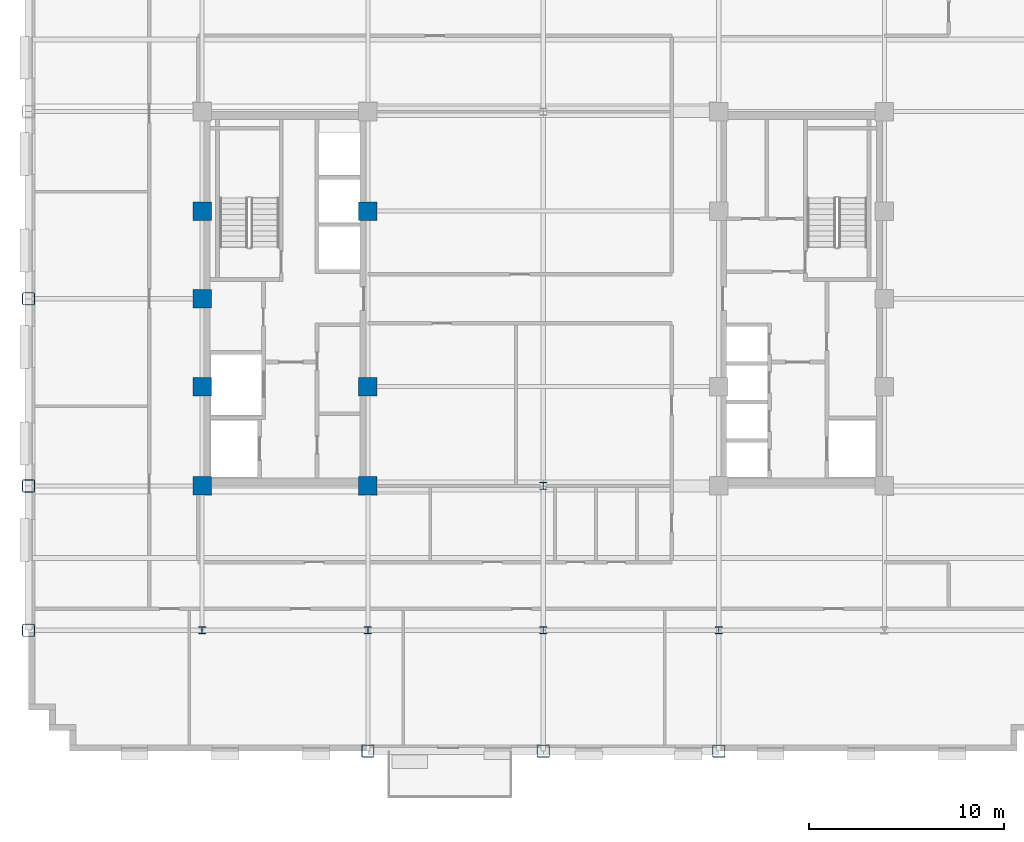
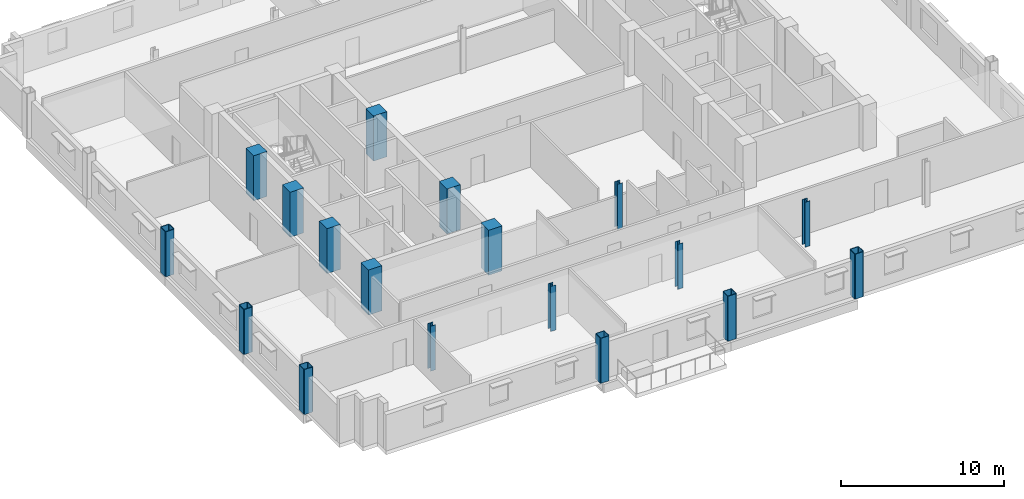
# One storey, part 1 of 13: 18 columns.
"""IFC4 building model written with IfcOpenShell, lengths in metres."""

from ifc_helpers import new_model, si_unit, direction, frame, origin, origin_2d, place, context, subcontext, project, spatial, rectangle, hollow_rectangle, i_section, extrude, material, material_profile, profile_set, type_object, element, save


model = new_model("IFC4")

# Units and contexts
model_context = context("Model", 3, precision=1e-05, world=origin(), true_north=direction((0.0, 1.0)))
body_context = subcontext(model_context, "Body", "Model", "MODEL_VIEW")
ifc_project = project(units=[si_unit("LENGTHUNIT", "METRE"), si_unit("AREAUNIT", "SQUARE_METRE"), si_unit("VOLUMEUNIT", "CUBIC_METRE"), si_unit("PLANEANGLEUNIT", "RADIAN"), si_unit("MASSUNIT", "GRAM", prefix="KILO")], contexts=[model_context])

# Site, building, storey
site_placement = place(None, origin())
site = spatial("IfcSite", under=ifc_project, at=site_placement, CompositionType="ELEMENT")
building_placement = place(site_placement, origin())
building = spatial("IfcBuilding", under=site, at=building_placement, Name="Nuvemarco Arch Tower", CompositionType="ELEMENT")
storey_placement = place(building_placement, frame((0.0, 0.0, 156.699951171875)))
storey = spatial("IfcBuildingStorey", under=building, at=storey_placement, Name="L41", CompositionType="ELEMENT", Elevation=156.699951171875)

# Columns
ifc_material_1 = material(Name="Concrete C50/60", Category="concrete")
ifc_material_profile_1 = material_profile(ifc_material_1, rectangle(XDim=0.949951171875, YDim=0.949951171875, at=origin_2d()), Name="RC-COL-950x950")
ifc_profile_set_1 = profile_set([ifc_material_profile_1], Name="Concrete C50/60")
column_type_1 = type_object("IfcColumnType", Name="COL-CORE-950", PredefinedType="COLUMN", material=ifc_profile_set_1)
for number, where, z_axis, x_axis, name in (
    (1, (-17.5, -9.60009765625, 0.0), (0.0, 0.0, 1.0), (1.0, 0.0, 0.0), "L41 column CC_-17.5_-9.6"),
    (2, (-17.5, -4.5, 0.0), (0.0, 0.0, 1.0), (1.0, 0.0, 0.0), "L41 column CC_-17.5_-4.5"),
    (3, (-17.5, 4.5, 0.0), (0.0, 0.0, 1.0), (1.0, 0.0, 0.0), "L41 column CC_-17.5_+4.5"),
    (4, (-9.0, -9.60009765625, 0.0), (0.0, 0.0, 1.0), (1.0, 0.0, 0.0), "L41 column CC_-9.0_-9.6"),
    (5, (-9.0, -4.5, 0.0), (0.0, 0.0, 1.0), (1.0, 0.0, 0.0), "L41 column CC_-9.0_-4.5"),
    (6, (-9.0, 4.5, 0.0), (0.0, 0.0, 1.0), (1.0, 0.0, 0.0), "L41 column CC_-9.0_+4.5"),
    (7, (-17.5, 0.0, 0.0), (0.0, 0.0, 1.0), (1.0, 0.0, 0.0), "L41 column CC_-17.5_+0.0"),
):
    element("IfcColumn", number, at=place(storey_placement, frame(where, z_axis=z_axis, x_axis=x_axis)), inside=storey, type_object=column_type_1, Name=name, PredefinedType="COLUMN", context=body_context, shape_type="SweptSolid", body=[
        extrude(rectangle(XDim=0.949951171875, YDim=0.949951171875, at=origin_2d()), origin(), (0.0, 0.0, 1.0), 3.3701171875),
    ])
ifc_material_2 = material(Name="Steel S355", Category="steel")
ifc_material_profile_2 = material_profile(ifc_material_2, hollow_rectangle(XDim=0.64990234375, YDim=0.64990234375, WallThickness=0.0400390625, InnerFilletRadius=0.0400390625, OuterFilletRadius=0.080078125, at=origin_2d()), Name="SHS650x650x40")
ifc_profile_set_2 = profile_set([ifc_material_profile_2], Name="Steel S355")
column_type_2 = type_object("IfcColumnType", Name="COL-EXO-650", PredefinedType="COLUMN", material=ifc_profile_set_2)
for number, where, z_axis, x_axis, name in (
    (8, (-26.39990234375, -17.0, 0.0), (0.0, 0.0, 1.0), (1.0, 0.0, 0.0), "L41 column CX_-26.4_-17.0"),
    (9, (-26.39990234375, -9.60009765625, 0.0), (0.0, 0.0, 1.0), (1.0, 0.0, 0.0), "L41 column CX_-26.4_-9.6"),
    (10, (-26.39990234375, 0.0, 0.0), (0.0, 0.0, 1.0), (1.0, 0.0, 0.0), "L41 column CX_-26.4_+0.0"),
    (11, (-9.0, -23.199951171875, 0.0), (0.0, 0.0, 1.0), (1.0, 0.0, 0.0), "L41 column CY_-9.0_-23.2"),
    (12, (0.0, -23.199951171875, 0.0), (0.0, 0.0, 1.0), (1.0, 0.0, 0.0), "L41 column CY_+0.0_-23.2"),
    (13, (9.0, -23.199951171875, 0.0), (0.0, 0.0, 1.0), (1.0, 0.0, 0.0), "L41 column CY_+9.0_-23.2"),
):
    element("IfcColumn", number, at=place(storey_placement, frame(where, z_axis=z_axis, x_axis=x_axis)), inside=storey, type_object=column_type_2, Name=name, PredefinedType="COLUMN", context=body_context, shape_type="SweptSolid", body=[
        extrude(hollow_rectangle(XDim=0.64990234375, YDim=0.64990234375, WallThickness=0.0400390625, InnerFilletRadius=0.0400390625, OuterFilletRadius=0.080078125, at=origin_2d()), origin(), (0.0, 0.0, 1.0), 3.3701171875),
    ])
ifc_material_profile_3 = material_profile(ifc_material_2, i_section(OverallWidth=0.360107421875, OverallDepth=0.360107421875, WebThickness=0.0205078125, FlangeThickness=0.0205078125, FilletRadius=0.01806640625, at=origin_2d()), Name="HP360x174")
ifc_profile_set_3 = profile_set([ifc_material_profile_3], Name="Steel S355")
column_type_3 = type_object("IfcColumnType", Name="COL-STL-HP360", PredefinedType="COLUMN", material=ifc_profile_set_3)
for number, where, z_axis, x_axis, name in (
    (14, (0.0, -17.0, 0.0), (0.0, 0.0, 1.0), (1.0, 0.0, 0.0), "L41 column CI_+0.0_-17.0"),
    (15, (0.0, -9.60009765625, 0.0), (0.0, 0.0, 1.0), (1.0, 0.0, 0.0), "L41 column CI_+0.0_-9.6"),
    (16, (-17.5, -17.0, 0.0), (0.0, 0.0, 1.0), (1.0, 0.0, 0.0), "L41 column CI_-17.5_-17.0"),
    (17, (-9.0, -17.0, 0.0), (0.0, 0.0, 1.0), (1.0, 0.0, 0.0), "L41 column CI_-9.0_-17.0"),
    (18, (9.0, -17.0, 0.0), (0.0, 0.0, 1.0), (1.0, 0.0, 0.0), "L41 column CI_+9.0_-17.0"),
):
    element("IfcColumn", number, at=place(storey_placement, frame(where, z_axis=z_axis, x_axis=x_axis)), inside=storey, type_object=column_type_3, Name=name, PredefinedType="COLUMN", context=body_context, shape_type="SweptSolid", body=[
        extrude(i_section(OverallWidth=0.360107421875, OverallDepth=0.360107421875, WebThickness=0.0205078125, FlangeThickness=0.0205078125, FilletRadius=0.01806640625, at=origin_2d()), origin(), (0.0, 0.0, 1.0), 3.3701171875),
    ])

save(model, "model.ifc")
